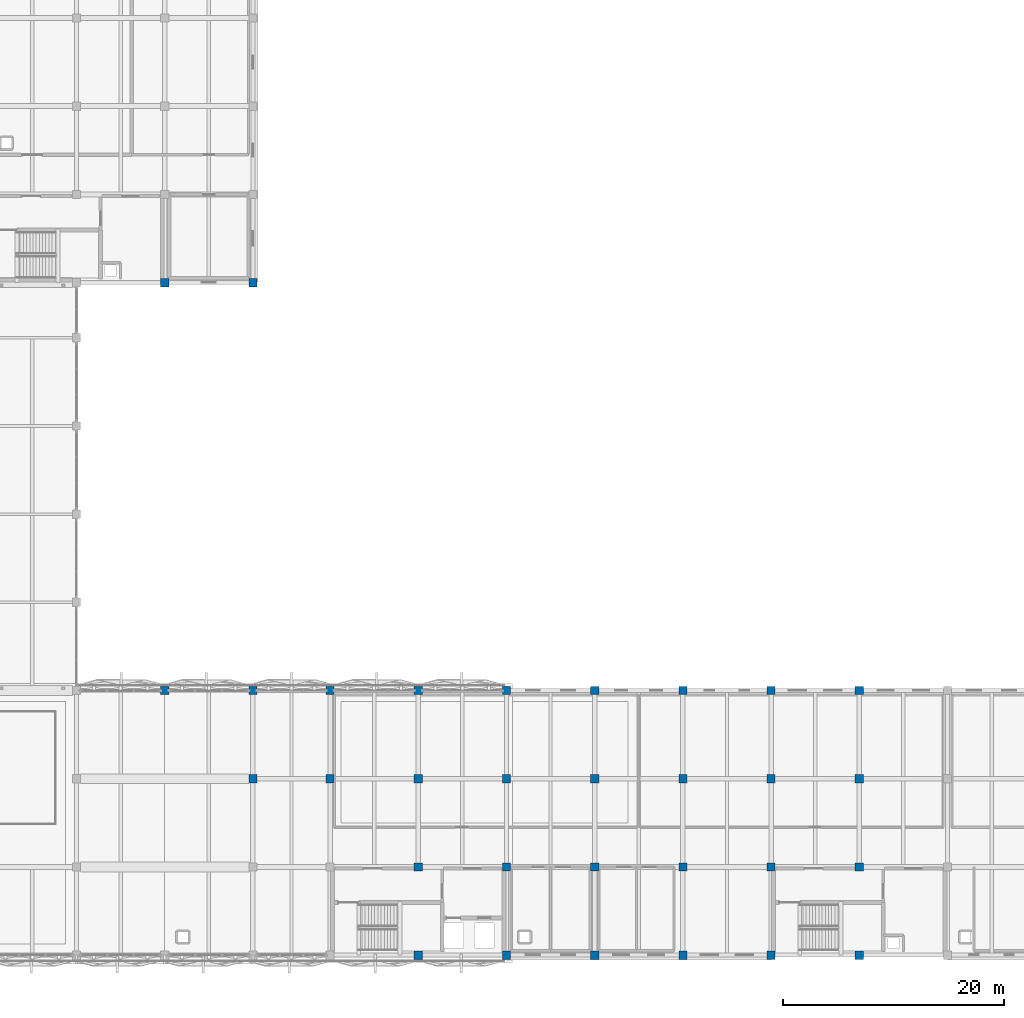
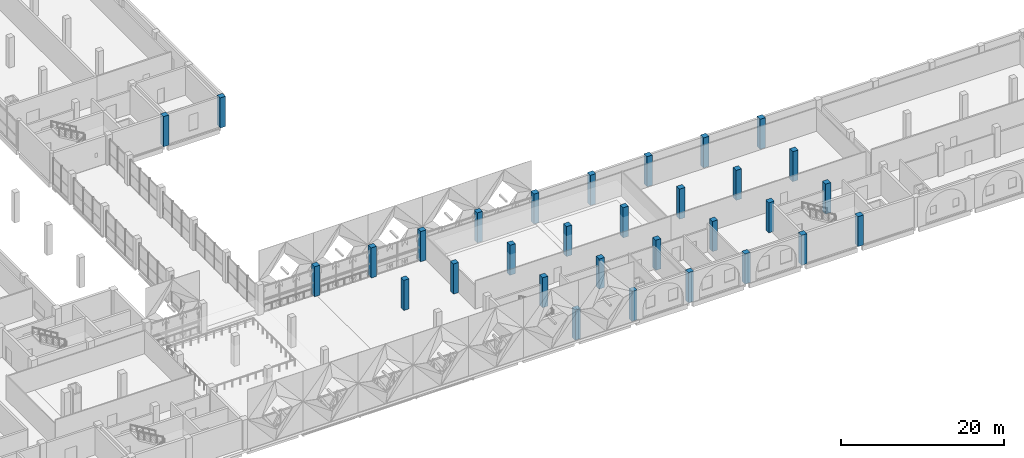
# One storey, part 2 of 53: 31 columns.
"""IFC4 building model written with IfcOpenShell, lengths in metres."""

import ifcopenshell
import ifcopenshell.guid

model = None  # the IFC model being written
_history = None  # IfcOwnerHistory: only IFC2X3 demands one
_inside = {}  # id of a spatial element -> (the spatial element, [elements in it])
_under = {}  # id of a project, library or spatial element -> (it, [spatial elements below it])
_declared = {}  # id of a project -> (the project, [libraries it declares])
_typed = {}  # id of a type object -> (the type object, [elements of that type])
_made_of = {}  # id of a material, layer set ... -> (it, [elements and type objects made of it])


def new_model(schema):
    """Start an empty IFC model of exactly this schema.

    Asked for "IFC4X3", IfcOpenShell would pick the latest addendum, in which some entities
    have other attributes; the version numbers below select the first issue.
    IFC2X3 requires an IfcOwnerHistory on every rooted entity: one is made here for all.
    """
    global model, _history
    if schema == "IFC4X3":
        model = ifcopenshell.file(schema_version=(4, 3, 0, 0))
    else:
        model = ifcopenshell.file(schema=schema)
    _inside.clear()
    _under.clear()
    _declared.clear()
    _typed.clear()
    _made_of.clear()
    _history = None
    if model.schema == "IFC2X3":
        org = make("IfcOrganization", Name="unknown")
        user = make(
            "IfcPersonAndOrganization",
            ThePerson=make("IfcPerson", FamilyName="unknown"),
            TheOrganization=org,
        )
        app = make(
            "IfcApplication",
            ApplicationDeveloper=org,
            Version="unknown",
            ApplicationFullName="unknown",
            ApplicationIdentifier="unknown",
        )
        _history = make(
            "IfcOwnerHistory",
            OwningUser=user,
            OwningApplication=app,
            ChangeAction="ADDED",
            CreationDate=0,
        )
    return model


def make(cls, **values):
    """One entity of the class cls with the attributes given. An attribute that is None is left unset."""
    return model.create_entity(
        cls, **{name: value for name, value in values.items() if value is not None}
    )


def rooted(cls, **values):
    """An entity with a GlobalId (a new one), such as an element, a storey or a relation."""
    return make(cls, GlobalId=ifcopenshell.guid.new(), OwnerHistory=_history, **values)


def si_unit(unit_type, name, prefix=None):
    """IfcSIUnit, for example si_unit("LENGTHUNIT", "METRE", prefix="MILLI")."""
    return make("IfcSIUnit", UnitType=unit_type, Prefix=prefix, Name=name)


def assignment(units):
    """IfcUnitAssignment: the units of a project."""
    return None if units is None else make("IfcUnitAssignment", Units=units)


def point(xyz):
    """IfcCartesianPoint."""
    return None if xyz is None else make("IfcCartesianPoint", Coordinates=xyz)


def direction(xyz):
    """IfcDirection."""
    return None if xyz is None else make("IfcDirection", DirectionRatios=xyz)


def frame(location, z_axis=None, x_axis=None):
    """IfcAxis2Placement3D, a coordinate frame: its origin and axes. An axis left out is left unset."""
    return make(
        "IfcAxis2Placement3D",
        Location=point(location),
        Axis=direction(z_axis),
        RefDirection=direction(x_axis),
    )


def frame_2d(location, x_axis=None):
    """IfcAxis2Placement2D, a coordinate frame in the plane: its origin and x axis."""
    return make(
        "IfcAxis2Placement2D", Location=point(location), RefDirection=direction(x_axis)
    )


def origin():
    """The frame at (0, 0, 0) with its axes left unset."""
    return frame((0.0, 0.0, 0.0))


def origin_2d():
    """The frame at (0, 0) in the plane with its x axis left unset."""
    return frame_2d((0.0, 0.0))


def place(relative_to, where):
    """IfcLocalPlacement: puts the frame where relative to a parent placement (None: the world)."""
    return make(
        "IfcLocalPlacement", PlacementRelTo=relative_to, RelativePlacement=where
    )


def context(
    kind, dimensions, precision=None, world=None, true_north=None, identifier=None
):
    """IfcGeometricRepresentationContext, for example the 3D "Model" context."""
    return make(
        "IfcGeometricRepresentationContext",
        ContextIdentifier=identifier,
        ContextType=kind,
        CoordinateSpaceDimension=dimensions,
        Precision=precision,
        WorldCoordinateSystem=world,
        TrueNorth=true_north,
    )


def subcontext(parent, identifier, kind, view, scale=None):
    """IfcGeometricRepresentationSubContext, for example "Body" below "Model"."""
    return make(
        "IfcGeometricRepresentationSubContext",
        ContextIdentifier=identifier,
        ContextType=kind,
        ParentContext=parent,
        TargetScale=scale,
        TargetView=view,
    )


def project(units=None, contexts=None):
    """IfcProject with its units and contexts."""
    return rooted(
        "IfcProject",
        Name="project",
        RepresentationContexts=contexts,
        UnitsInContext=assignment(units),
    )


def spatial(cls, under=None, at=None, **own):
    """A site, building, storey or space (cls), placed at a placement, below another one or the project."""
    s = rooted(cls, ObjectPlacement=at, **own)
    if under is not None:
        _under.setdefault(under.id(), (under, []))[1].append(s)
    return s


def profile(cls, at=None, kind="AREA", **sizes):
    """A parametric profile (cls). Its sizes go by their IFC names, for example OverallWidth=200.0."""
    return make(cls, ProfileType=kind, Position=at, **sizes)


def rectangle(**sizes):
    """IfcRectangleProfileDef."""
    return profile("IfcRectangleProfileDef", **sizes)


def extrude(swept, where, along, depth):
    """IfcExtrudedAreaSolid: the profile swept, set in the frame where, extruded along a direction by depth."""
    return make(
        "IfcExtrudedAreaSolid",
        SweptArea=swept,
        Position=where,
        ExtrudedDirection=direction(along),
        Depth=depth,
    )


def shape(context_of_items, identifier, shape_type, items):
    """IfcShapeRepresentation: the items that make up one representation, for example the "Body"."""
    return make(
        "IfcShapeRepresentation",
        ContextOfItems=context_of_items,
        RepresentationIdentifier=identifier,
        RepresentationType=shape_type,
        Items=items,
    )


def material(Name=None, Category=None):
    """IfcMaterial."""
    return make("IfcMaterial", Name=Name, Category=Category)


def material_profile(
    of_material, cross_section, Name=None, Category=None, Priority=None
):
    """IfcMaterialProfile: a cross section and its material."""
    return make(
        "IfcMaterialProfile",
        Name=Name,
        Material=of_material,
        Profile=cross_section,
        Priority=Priority,
        Category=Category,
    )


def profile_set(profiles, Name=None, composite=None):
    """IfcMaterialProfileSet."""
    return make(
        "IfcMaterialProfileSet",
        Name=Name,
        MaterialProfiles=profiles,
        CompositeProfile=composite,
    )


def made_of(thing, what):
    """Note that an element or type object is made of a material, layer set ...; save() writes the relation."""
    if what is not None:
        _made_of.setdefault(what.id(), (what, []))[1].append(thing)
    return thing


def type_object(cls, material=None, **own):
    """A type object (cls), such as IfcWallType, which elements share."""
    return made_of(rooted(cls, **own), material)


def element(
    cls,
    number,
    at=None,
    inside=None,
    cuts=None,
    type_object=None,
    material=None,
    context=None,
    identifier="Body",
    shape_type=None,
    held_by="IfcProductDefinitionShape",
    body=None,
    shapes=None,
    **own,
):
    """One element of the class cls, such as IfcWall. Its Tag is "e" and its number.

    at: its placement. inside: the storey or other place that contains it. cuts: it is an
    opening in that element (IfcRelVoidsElement). A single representation is given by context,
    identifier, shape_type and body (its items); several are given by shapes. held_by: the class
    of the entity that holds the representations. save() writes the other relations.
    """
    e = rooted(cls, Tag="e%d" % number, ObjectPlacement=at, **own)
    if body is not None:
        shapes = [shape(context, identifier, shape_type, body)]
    if shapes is not None:
        e.Representation = make(held_by, Representations=shapes)
    if inside is not None:
        _inside.setdefault(inside.id(), (inside, []))[1].append(e)
    if cuts is not None:
        rooted(
            "IfcRelVoidsElement", RelatingBuildingElement=cuts, RelatedOpeningElement=e
        )
    if type_object is not None:
        _typed.setdefault(type_object.id(), (type_object, []))[1].append(e)
    return made_of(e, material)


def aggregate(whole, parts):
    """IfcRelAggregates: a whole, such as a stair, and the parts it consists of."""
    return rooted("IfcRelAggregates", RelatingObject=whole, RelatedObjects=parts)


def save(model, path):
    """Write the relations noted so far, then the file.

    IfcRelAggregates (storeys below a building ...), IfcRelContainedInSpatialStructure (elements
    in a storey), IfcRelDefinesByType, IfcRelAssociatesMaterial and IfcRelDeclares: one each for
    every whole, place, type object, material and project.
    """
    for whole, parts in _under.values():
        aggregate(whole, parts)
    for where, things in _inside.values():
        rooted(
            "IfcRelContainedInSpatialStructure",
            RelatedElements=things,
            RelatingStructure=where,
        )
    for kind, things in _typed.values():
        rooted("IfcRelDefinesByType", RelatedObjects=things, RelatingType=kind)
    for what, things in _made_of.values():
        rooted("IfcRelAssociatesMaterial", RelatedObjects=things, RelatingMaterial=what)
    for by, libraries in _declared.values():
        rooted("IfcRelDeclares", RelatingContext=by, RelatedDefinitions=libraries)
    model.write(path)


model = new_model("IFC4")

# Units and contexts
model_context = context("Model", 3, precision=1e-05, world=origin(), true_north=direction((0.0, 1.0)))
body_context = subcontext(model_context, "Body", "Model", "MODEL_VIEW")
ifc_project = project(units=[si_unit("LENGTHUNIT", "METRE"), si_unit("AREAUNIT", "SQUARE_METRE"), si_unit("VOLUMEUNIT", "CUBIC_METRE"), si_unit("PLANEANGLEUNIT", "RADIAN"), si_unit("MASSUNIT", "GRAM", prefix="KILO")], contexts=[model_context])

# Site, building, storey
site_placement = place(None, origin())
site = spatial("IfcSite", under=ifc_project, at=site_placement, CompositionType="ELEMENT")
building_placement = place(site_placement, origin())
building = spatial("IfcBuilding", under=site, at=building_placement, Name="Qorikala Patio Media Centre", CompositionType="ELEMENT")
storey_placement = place(building_placement, frame((0.0, 0.0, 5.39990234375)))
storey = spatial("IfcBuildingStorey", under=building, at=storey_placement, Name="L01", CompositionType="ELEMENT", Elevation=5.39990234375)

# Columns
ifc_material = material(Name="Concrete C35/45", Category="concrete")
ifc_material_profile_1 = material_profile(ifc_material, rectangle(XDim=0.75, YDim=0.75, at=origin_2d()), Name="RC 750x750")
ifc_profile_set_1 = profile_set([ifc_material_profile_1], Name="Concrete C35/45")
column_type_1 = type_object("IfcColumnType", Name="RC-COL-750-EXT", PredefinedType="COLUMN", material=ifc_profile_set_1)
for number, where, z_axis, x_axis, name in (
    (1, (67.0, 27.0, 0.0), (0.0, 0.0, 1.0), (1.0, 0.0, 0.0), "L01 Column (67,27)"),
    (2, (67.0, 64.0, 0.0), (0.0, 0.0, 1.0), (1.0, 0.0, 0.0), "L01 Column (67,64)"),
    (3, (75.0, 27.0, 0.0), (0.0, 0.0, 1.0), (1.0, 0.0, 0.0), "L01 Column (75,27)"),
    (4, (75.0, 64.0, 0.0), (0.0, 0.0, 1.0), (1.0, 0.0, 0.0), "L01 Column (75,64)"),
    (5, (82.0, 27.0, 0.0), (0.0, 0.0, 1.0), (1.0, 0.0, 0.0), "L01 Column (82,27)"),
    (6, (90.0, 3.0, 0.0), (0.0, 0.0, 1.0), (1.0, 0.0, 0.0), "L01 Column (90,3)"),
    (7, (90.0, 27.0, 0.0), (0.0, 0.0, 1.0), (1.0, 0.0, 0.0), "L01 Column (90,27)"),
    (8, (98.0, 3.0, 0.0), (0.0, 0.0, 1.0), (1.0, 0.0, 0.0), "L01 Column (98,3)"),
    (9, (98.0, 27.0, 0.0), (0.0, 0.0, 1.0), (1.0, 0.0, 0.0), "L01 Column (98,27)"),
    (10, (106.0, 3.0, 0.0), (0.0, 0.0, 1.0), (1.0, 0.0, 0.0), "L01 Column (106,3)"),
    (11, (106.0, 27.0, 0.0), (0.0, 0.0, 1.0), (1.0, 0.0, 0.0), "L01 Column (106,27)"),
    (12, (114.0, 3.0, 0.0), (0.0, 0.0, 1.0), (1.0, 0.0, 0.0), "L01 Column (114,3)"),
    (13, (114.0, 27.0, 0.0), (0.0, 0.0, 1.0), (1.0, 0.0, 0.0), "L01 Column (114,27)"),
    (14, (122.0, 3.0, 0.0), (0.0, 0.0, 1.0), (1.0, 0.0, 0.0), "L01 Column (122,3)"),
    (15, (122.0, 27.0, 0.0), (0.0, 0.0, 1.0), (1.0, 0.0, 0.0), "L01 Column (122,27)"),
    (16, (130.0, 3.0, 0.0), (0.0, 0.0, 1.0), (1.0, 0.0, 0.0), "L01 Column (130,3)"),
    (17, (130.0, 27.0, 0.0), (0.0, 0.0, 1.0), (1.0, 0.0, 0.0), "L01 Column (130,27)"),
):
    element("IfcColumn", number, at=place(storey_placement, frame(where, z_axis=z_axis, x_axis=x_axis)), inside=storey, type_object=column_type_1, Name=name, PredefinedType="COLUMN", context=body_context, shape_type="SweptSolid", body=[
        extrude(rectangle(XDim=0.75, YDim=0.75, at=origin_2d()), origin(), (0.0, 0.0, 1.0), 4.5),
    ])
ifc_material_profile_2 = material_profile(ifc_material, rectangle(XDim=0.75, YDim=0.75, at=origin_2d()), Name="RC 750x750")
ifc_profile_set_2 = profile_set([ifc_material_profile_2], Name="Concrete C35/45")
column_type_2 = type_object("IfcColumnType", Name="RC-COL-750-INT", PredefinedType="COLUMN", material=ifc_profile_set_2)
for number, where, z_axis, x_axis, name in (
    (18, (75.0, 19.0, 0.0), (0.0, 0.0, 1.0), (1.0, 0.0, 0.0), "L01 Column (75,19)"),
    (19, (82.0, 19.0, 0.0), (0.0, 0.0, 1.0), (1.0, 0.0, 0.0), "L01 Column (82,19)"),
    (20, (90.0, 11.0, 0.0), (0.0, 0.0, 1.0), (1.0, 0.0, 0.0), "L01 Column (90,11)"),
    (21, (90.0, 19.0, 0.0), (0.0, 0.0, 1.0), (1.0, 0.0, 0.0), "L01 Column (90,19)"),
    (22, (98.0, 11.0, 0.0), (0.0, 0.0, 1.0), (1.0, 0.0, 0.0), "L01 Column (98,11)"),
    (23, (98.0, 19.0, 0.0), (0.0, 0.0, 1.0), (1.0, 0.0, 0.0), "L01 Column (98,19)"),
    (24, (106.0, 11.0, 0.0), (0.0, 0.0, 1.0), (1.0, 0.0, 0.0), "L01 Column (106,11)"),
    (25, (106.0, 19.0, 0.0), (0.0, 0.0, 1.0), (1.0, 0.0, 0.0), "L01 Column (106,19)"),
    (26, (114.0, 11.0, 0.0), (0.0, 0.0, 1.0), (1.0, 0.0, 0.0), "L01 Column (114,11)"),
    (27, (114.0, 19.0, 0.0), (0.0, 0.0, 1.0), (1.0, 0.0, 0.0), "L01 Column (114,19)"),
    (28, (122.0, 11.0, 0.0), (0.0, 0.0, 1.0), (1.0, 0.0, 0.0), "L01 Column (122,11)"),
    (29, (122.0, 19.0, 0.0), (0.0, 0.0, 1.0), (1.0, 0.0, 0.0), "L01 Column (122,19)"),
    (30, (130.0, 11.0, 0.0), (0.0, 0.0, 1.0), (1.0, 0.0, 0.0), "L01 Column (130,11)"),
    (31, (130.0, 19.0, 0.0), (0.0, 0.0, 1.0), (1.0, 0.0, 0.0), "L01 Column (130,19)"),
):
    element("IfcColumn", number, at=place(storey_placement, frame(where, z_axis=z_axis, x_axis=x_axis)), inside=storey, type_object=column_type_2, Name=name, PredefinedType="COLUMN", context=body_context, shape_type="SweptSolid", body=[
        extrude(rectangle(XDim=0.75, YDim=0.75, at=origin_2d()), origin(), (0.0, 0.0, 1.0), 4.5),
    ])

save(model, "model.ifc")
